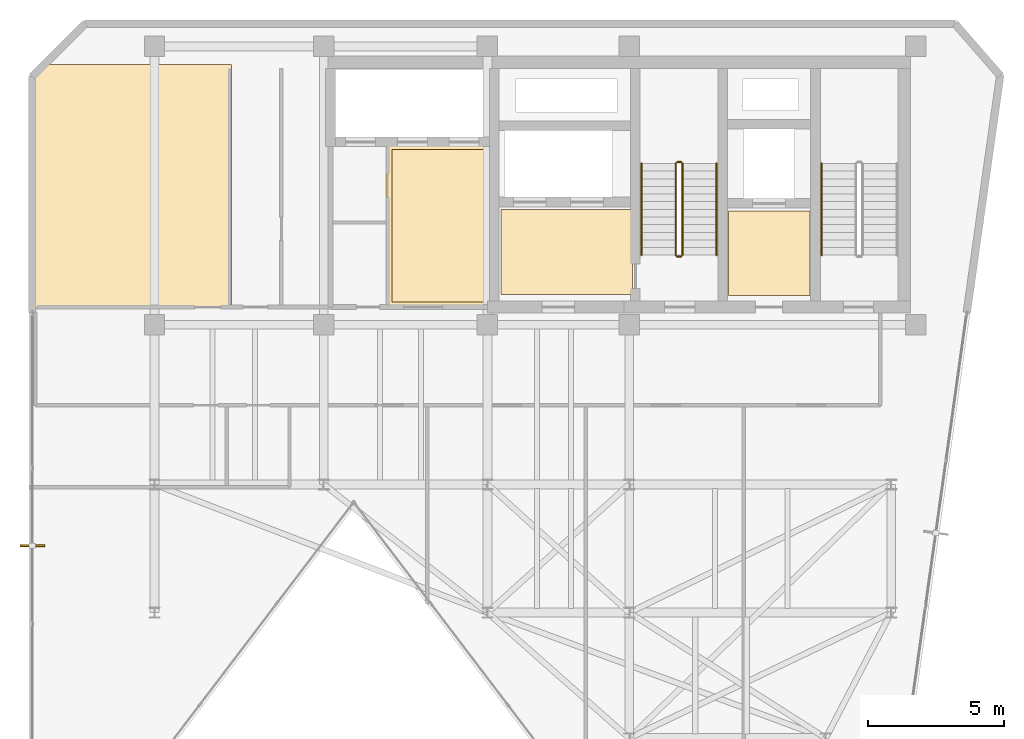
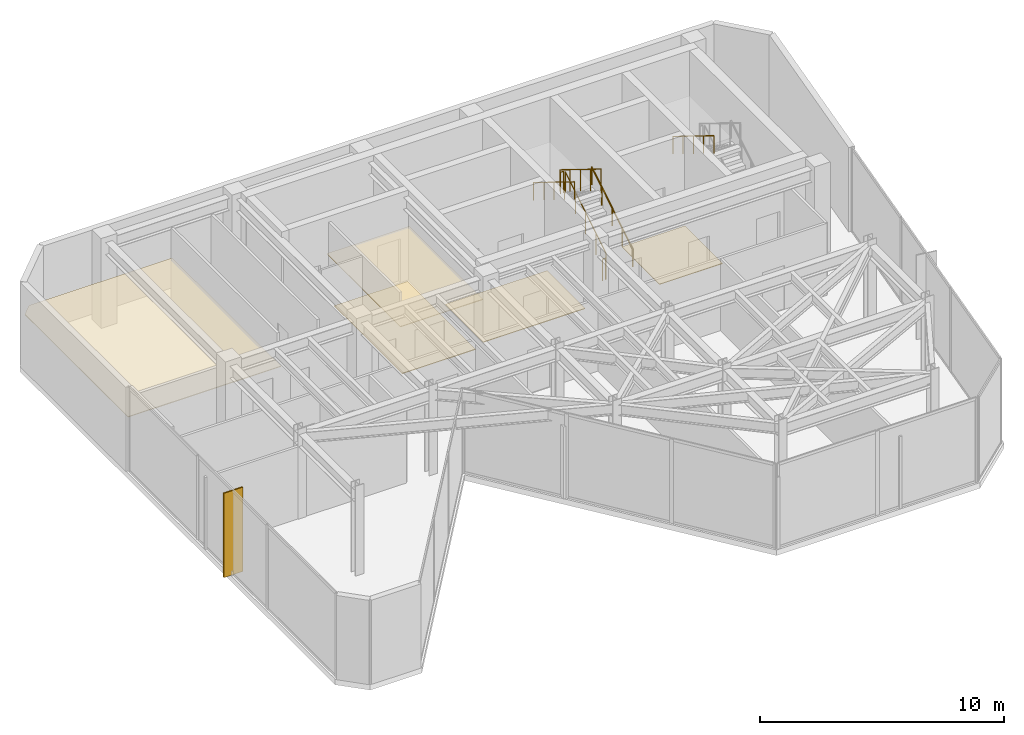
# One storey, part 16 of 17: 7 railings, 5 coverings, 1 shading device.
"""IFC4 building model written with IfcOpenShell, lengths in metres."""

from ifc_helpers import new_model, si_unit, direction, frame, origin, origin_2d, place, context, subcontext, project, spatial, polyline, rectangle, circle, outline, extrude, material, layer, layer_set, type_object, element, save


model = new_model("IFC4")

# Units and contexts
model_context = context("Model", 3, precision=1e-05, world=origin(), true_north=direction((0.0, 1.0)))
body_context = subcontext(model_context, "Body", "Model", "MODEL_VIEW")
ifc_project = project(units=[si_unit("LENGTHUNIT", "METRE"), si_unit("AREAUNIT", "SQUARE_METRE"), si_unit("VOLUMEUNIT", "CUBIC_METRE"), si_unit("PLANEANGLEUNIT", "RADIAN"), si_unit("MASSUNIT", "GRAM", prefix="KILO")], contexts=[model_context])

# Site, building, storey
site_placement = place(None, origin())
site = spatial("IfcSite", under=ifc_project, at=site_placement, CompositionType="ELEMENT")
building_placement = place(site_placement, origin())
building = spatial("IfcBuilding", under=site, at=building_placement, Name="Kravanh Interchange Tower", CompositionType="ELEMENT")
storey_placement = place(building_placement, frame((0.0, 0.0, 311.10009765625)))
storey = spatial("IfcBuildingStorey", under=building, at=storey_placement, Name="L77", CompositionType="ELEMENT", Elevation=311.10009765625)

# Coverings
ifc_material_1 = material(Name="Cementitious Terrazzo Tile")
ifc_layer_1 = layer(ifc_material_1, 0.030029296875)
ifc_layer_set_1 = layer_set([ifc_layer_1], Name="Honed Terrazzo Lobby Flooring 30mm")
covering_type_1 = type_object("IfcCoveringType", Name="Honed Terrazzo Lobby Flooring 30mm", PredefinedType="FLOORING", material=ifc_layer_set_1)
covering_1_placement = place(storey_placement, origin())
element("IfcCovering", 1, at=covering_1_placement, inside=storey, type_object=covering_type_1, Name="L77 Service Lift Lobby Floor Finish", PredefinedType="FLOORING", context=body_context, shape_type="SweptSolid", body=[
    extrude(outline(polyline([(59.6298828125, 41.52001953125), (62.6201171875, 41.52001953125), (62.6201171875, 38.429931640625), (59.6298828125, 38.429931640625), (59.6298828125, 41.52001953125)])), origin(), (0.0, 0.0, 1.0), 0.02978515625),
])
covering_2_placement = place(storey_placement, origin())
element("IfcCovering", 2, at=covering_2_placement, inside=storey, type_object=covering_type_1, Name="L77 Firefighting Lobby Floor Finish", PredefinedType="FLOORING", context=body_context, shape_type="SweptSolid", body=[
    extrude(outline(polyline([(56.1201171875, 38.4599609375), (51.300048828125, 38.4599609375), (51.300048828125, 41.580078125), (56.1201171875, 41.580078125), (56.1201171875, 38.4599609375)])), origin(), (0.0, 0.0, 1.0), 0.02978515625),
])
covering_3_placement = place(storey_placement, origin())
element("IfcCovering", 3, at=covering_3_placement, inside=storey, type_object=covering_type_1, Name="L77 High-Rise Lift Lobby Floor Finish", PredefinedType="FLOORING", context=body_context, shape_type="SweptSolid", body=[
    extrude(outline(polyline([(47.300048828125, 43.77001953125), (50.77001953125, 43.77001953125), (50.77001953125, 38.179931640625), (47.300048828125, 38.179931640625), (47.300048828125, 43.77001953125)])), origin(), (0.0, 0.0, 1.0), 0.02978515625),
])
ifc_material_2 = material(Name="Anodised Bronze Aluminium Acoustic Baffle", Category="aluminium")
ifc_layer_2 = layer(ifc_material_2, 0.034912109375)
ifc_layer_set_2 = layer_set([ifc_layer_2], Name="Linear Bronze Baffle Feature Ceiling 35mm")
covering_type_2 = type_object("IfcCoveringType", Name="Linear Bronze Baffle Feature Ceiling 35mm", PredefinedType="CEILING", material=ifc_layer_set_2)
covering_4_placement = place(storey_placement, frame((0.0, 0.0, 2.5498046875)))
element("IfcCovering", 4, at=covering_4_placement, inside=storey, type_object=covering_type_2, Name="L77 High-Rise Lift Lobby Suspended Ceiling", PredefinedType="CEILING", context=body_context, shape_type="SweptSolid", body=[
    extrude(outline(polyline([(50.989990234375, 37.9599609375), (47.080078125, 37.9599609375), (47.080078125, 43.989990234375), (50.989990234375, 43.989990234375), (50.989990234375, 37.9599609375)])), origin(), (0.0, 0.0, 1.0), 0.03515625),
])
covering_5_placement = place(storey_placement, frame((0.0, 0.0, 2.5498046875)))
element("IfcCovering", 5, at=covering_5_placement, inside=storey, type_object=covering_type_2, Name="L77 North Library Reading Lounge Suspended Ceiling", PredefinedType="CEILING", context=body_context, shape_type="SweptSolid", body=[
    extrude(outline(polyline([(41.429931640625, 37.9599609375), (34.179931640625, 37.9599609375), (34.179931640625, 46.42529296875), (34.64453125, 46.889892578125), (41.429931640625, 46.889892578125), (41.429931640625, 37.9599609375)])), origin(), (0.0, 0.0, 1.0), 0.03515625),
])

# Railings
ifc_material_3 = material(Name="Structural Steel S355", Category="steel")
ifc_layer_3 = layer(ifc_material_3, 0.050048828125)
ifc_layer_set_3 = layer_set([ifc_layer_3], Name="Stair Well Guardrail Structural Steel S355 1100mm")
railing_type_1 = type_object("IfcRailingType", Name="Stair Well Guardrail Structural Steel S355 1100mm", PredefinedType="GUARDRAIL", material=ifc_layer_set_3)
railing_1_placement = place(storey_placement, frame((57.949951171875, 39.89990234375, 0.173095703125)))
element("IfcRailing", 6, at=railing_1_placement, inside=storey, type_object=railing_type_1, Name="L77 ST2 stair guard 1", PredefinedType="GUARDRAIL", context=body_context, shape_type="SweptSolid", body=[
    extrude(circle(Radius=0.02392578125, at=origin_2d()), frame((0.0, 0.0, 1.076171875), z_axis=(0.0, 0.850623216509, 0.525775754039), x_axis=(-1.0, 0.0, 0.0)), (0.0, 0.0, 1.0), 3.9501953125),
    extrude(circle(Radius=0.02099609375, at=origin_2d()), origin(), (0.0, 0.0, 1.0), 1.052001953125),
    extrude(circle(Radius=0.02099609375, at=origin_2d()), frame((0.0, 0.840087890625, 0.519287109375)), (0.0, 0.0, 1.0), 1.052001953125),
    extrude(circle(Radius=0.02099609375, at=origin_2d()), frame((0.0, 1.68017578125, 1.03857421875)), (0.0, 0.0, 1.0), 1.052001953125),
    extrude(circle(Radius=0.02099609375, at=origin_2d()), frame((0.0, 2.52001953125, 1.5576171875)), (0.0, 0.0, 1.0), 1.052001953125),
    extrude(circle(Radius=0.02099609375, at=origin_2d()), frame((0.0, 3.360107421875, 2.076904296875)), (0.0, 0.0, 1.0), 1.052001953125),
])
railing_2_placement = place(storey_placement, frame((57.89990234375, 43.31005859375, 2.25)))
element("IfcRailing", 7, at=railing_2_placement, inside=storey, type_object=railing_type_1, Name="L77 ST2 stair guard 2", PredefinedType="GUARDRAIL", context=body_context, shape_type="SweptSolid", body=[
    extrude(circle(Radius=0.02392578125, at=origin_2d()), frame((0.0, 0.0, 1.076171875), z_axis=(-1.0, 0.0, 0.0), x_axis=(0.0, -1.0, 0.0)), (0.0, 0.0, 1.0), 0.14990234375),
    extrude(circle(Radius=0.02099609375, at=origin_2d()), origin(), (0.0, 0.0, 1.0), 1.052001953125),
    extrude(circle(Radius=0.02099609375, at=origin_2d()), frame((-0.14990234375, 0.0, 0.0)), (0.0, 0.0, 1.0), 1.052001953125),
])
railing_3_placement = place(storey_placement, frame((57.699951171875, 43.260009765625, 2.423095703125)))
element("IfcRailing", 8, at=railing_3_placement, inside=storey, type_object=railing_type_1, Name="L77 ST2 stair guard 3", PredefinedType="GUARDRAIL", context=body_context, shape_type="SweptSolid", body=[
    extrude(circle(Radius=0.02392578125, at=origin_2d()), frame((0.0, 0.0, 1.076171875), z_axis=(0.0, -0.850623216509, 0.525775754039), x_axis=(1.0, 0.0, 0.0)), (0.0, 0.0, 1.0), 3.9501953125),
    extrude(circle(Radius=0.02099609375, at=origin_2d()), origin(), (0.0, 0.0, 1.0), 1.052001953125),
    extrude(circle(Radius=0.02099609375, at=origin_2d()), frame((0.0, -0.840087890625, 0.519287109375)), (0.0, 0.0, 1.0), 1.052001953125),
    extrude(circle(Radius=0.02099609375, at=origin_2d()), frame((0.0, -1.68017578125, 1.03857421875)), (0.0, 0.0, 1.0), 1.052001953125),
    extrude(circle(Radius=0.02099609375, at=origin_2d()), frame((0.0, -2.52001953125, 1.5576171875)), (0.0, 0.0, 1.0), 1.052001953125),
    extrude(circle(Radius=0.02099609375, at=origin_2d()), frame((0.0, -3.360107421875, 2.076904296875)), (0.0, 0.0, 1.0), 1.052001953125),
])
railing_4_placement = place(storey_placement, frame((57.89990234375, 39.85009765625, 0.0)))
element("IfcRailing", 9, at=railing_4_placement, inside=storey, type_object=railing_type_1, Name="L77 ST2 stair guard 4", PredefinedType="GUARDRAIL", context=body_context, shape_type="SweptSolid", body=[
    extrude(circle(Radius=0.02392578125, at=origin_2d()), frame((0.0, 0.0, 1.076171875), z_axis=(-1.0, 0.0, 0.0), x_axis=(0.0, -1.0, 0.0)), (0.0, 0.0, 1.0), 0.14990234375),
    extrude(circle(Radius=0.02099609375, at=origin_2d()), origin(), (0.0, 0.0, 1.0), 1.052001953125),
    extrude(circle(Radius=0.02099609375, at=origin_2d()), frame((-0.14990234375, 0.0, 0.0)), (0.0, 0.0, 1.0), 1.052001953125),
])
ifc_material_4 = material(Name="Stainless Steel 304", Category="steel")
ifc_layer_4 = layer(ifc_material_4, 0.044921875)
ifc_layer_set_4 = layer_set([ifc_layer_4], Name="Tubular Stair Handrail Stainless 304 900mm")
railing_type_2 = type_object("IfcRailingType", Name="Tubular Stair Handrail Stainless 304 900mm", PredefinedType="HANDRAIL", material=ifc_layer_set_4)
railing_5_placement = place(storey_placement, frame((63.050048828125, 43.260009765625, 2.423095703125)))
element("IfcRailing", 10, at=railing_5_placement, inside=storey, type_object=railing_type_2, Name="L77 ST1 stair handrail 2", PredefinedType="HANDRAIL", context=body_context, shape_type="SweptSolid", body=[
    extrude(circle(Radius=0.02392578125, at=origin_2d()), frame((0.0, 0.0, 0.8759765625), z_axis=(0.0, -0.850623216509, 0.525775754039), x_axis=(1.0, 0.0, 0.0)), (0.0, 0.0, 1.0), 3.9501953125),
    extrude(circle(Radius=0.02099609375, at=origin_2d()), origin(), (0.0, 0.0, 1.0), 0.851806640625),
    extrude(circle(Radius=0.02099609375, at=origin_2d()), frame((0.0, -0.840087890625, 0.519287109375)), (0.0, 0.0, 1.0), 0.851806640625),
    extrude(circle(Radius=0.02099609375, at=origin_2d()), frame((0.0, -1.68017578125, 1.03857421875)), (0.0, 0.0, 1.0), 0.851806640625),
    extrude(circle(Radius=0.02099609375, at=origin_2d()), frame((0.0, -2.52001953125, 1.5576171875)), (0.0, 0.0, 1.0), 0.851806640625),
    extrude(circle(Radius=0.02099609375, at=origin_2d()), frame((0.0, -3.360107421875, 2.076904296875)), (0.0, 0.0, 1.0), 0.851806640625),
])
railing_6_placement = place(storey_placement, frame((59.199951171875, 39.89990234375, 0.173095703125)))
element("IfcRailing", 11, at=railing_6_placement, inside=storey, type_object=railing_type_2, Name="L77 ST2 stair handrail 1", PredefinedType="HANDRAIL", context=body_context, shape_type="SweptSolid", body=[
    extrude(circle(Radius=0.02392578125, at=origin_2d()), frame((0.0, 0.0, 0.8759765625), z_axis=(0.0, 0.850623216509, 0.525775754039), x_axis=(-1.0, 0.0, 0.0)), (0.0, 0.0, 1.0), 3.9501953125),
    extrude(circle(Radius=0.02099609375, at=origin_2d()), origin(), (0.0, 0.0, 1.0), 0.851806640625),
    extrude(circle(Radius=0.02099609375, at=origin_2d()), frame((0.0, 0.840087890625, 0.519287109375)), (0.0, 0.0, 1.0), 0.851806640625),
    extrude(circle(Radius=0.02099609375, at=origin_2d()), frame((0.0, 1.68017578125, 1.03857421875)), (0.0, 0.0, 1.0), 0.851806640625),
    extrude(circle(Radius=0.02099609375, at=origin_2d()), frame((0.0, 2.52001953125, 1.5576171875)), (0.0, 0.0, 1.0), 0.851806640625),
    extrude(circle(Radius=0.02099609375, at=origin_2d()), frame((0.0, 3.360107421875, 2.076904296875)), (0.0, 0.0, 1.0), 0.851806640625),
])
railing_7_placement = place(storey_placement, frame((56.449951171875, 43.260009765625, 2.423095703125)))
element("IfcRailing", 12, at=railing_7_placement, inside=storey, type_object=railing_type_2, Name="L77 ST2 stair handrail 2", PredefinedType="HANDRAIL", context=body_context, shape_type="SweptSolid", body=[
    extrude(circle(Radius=0.02392578125, at=origin_2d()), frame((0.0, 0.0, 0.8759765625), z_axis=(0.0, -0.850623216509, 0.525775754039), x_axis=(1.0, 0.0, 0.0)), (0.0, 0.0, 1.0), 3.9501953125),
    extrude(circle(Radius=0.02099609375, at=origin_2d()), origin(), (0.0, 0.0, 1.0), 0.851806640625),
    extrude(circle(Radius=0.02099609375, at=origin_2d()), frame((0.0, -0.840087890625, 0.519287109375)), (0.0, 0.0, 1.0), 0.851806640625),
    extrude(circle(Radius=0.02099609375, at=origin_2d()), frame((0.0, -1.68017578125, 1.03857421875)), (0.0, 0.0, 1.0), 0.851806640625),
    extrude(circle(Radius=0.02099609375, at=origin_2d()), frame((0.0, -2.52001953125, 1.5576171875)), (0.0, 0.0, 1.0), 0.851806640625),
    extrude(circle(Radius=0.02099609375, at=origin_2d()), frame((0.0, -3.360107421875, 2.076904296875)), (0.0, 0.0, 1.0), 0.851806640625),
])

# Shading device
ifc_material_5 = material(Name="Anodised Champagne Bronze Aluminium", Category="aluminium")
ifc_layer_5 = layer(ifc_material_5, 0.06005859375)
ifc_layer_set_5 = layer_set([ifc_layer_5], Name="Vertical Bronze Solar Fin 900mm")
shading_device_type = type_object("IfcShadingDeviceType", Name="Vertical Bronze Solar Fin 900mm", PredefinedType="USERDEFINED", material=ifc_layer_set_5)
shading_device_placement = place(storey_placement, frame((34.1201171875, 29.25, 0.0), z_axis=(0.0, 0.0, 1.0), x_axis=(-1.0, 0.0, 0.0)))
element("IfcShadingDevice", 13, at=shading_device_placement, inside=storey, type_object=shading_device_type, Name="L77 BRONZE SOLAR FIN 1", ObjectType="FIN", PredefinedType="USERDEFINED", context=body_context, shape_type="SweptSolid", body=[
    extrude(rectangle(XDim=0.89990234375, YDim=0.06005859375, at=origin_2d()), origin(), (0.0, 0.0, 1.0), 4.219970703125),
])

save(model, "model.ifc")
